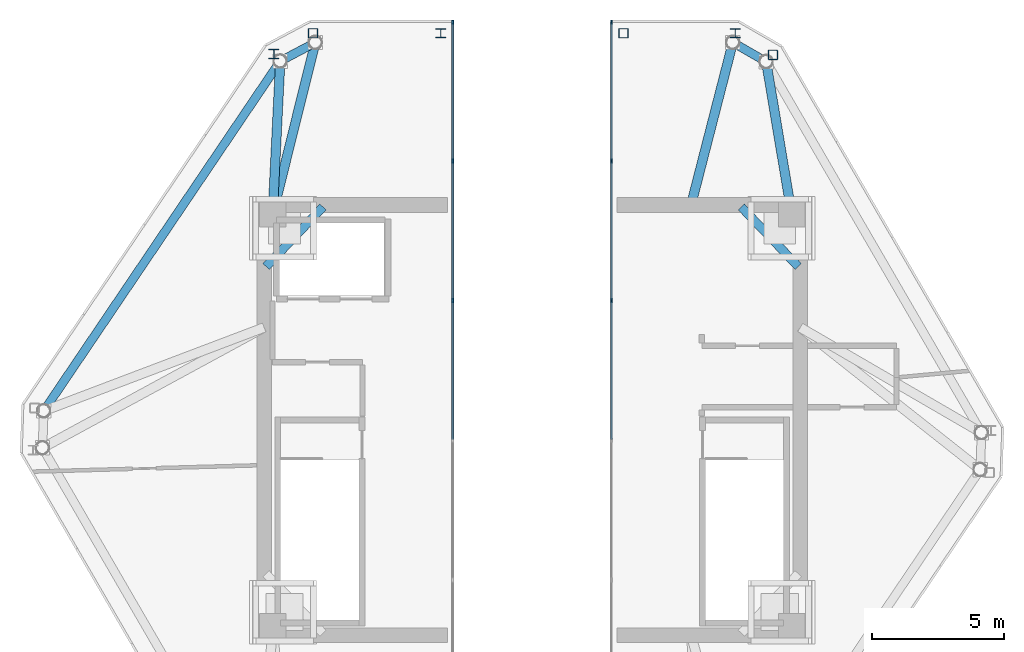
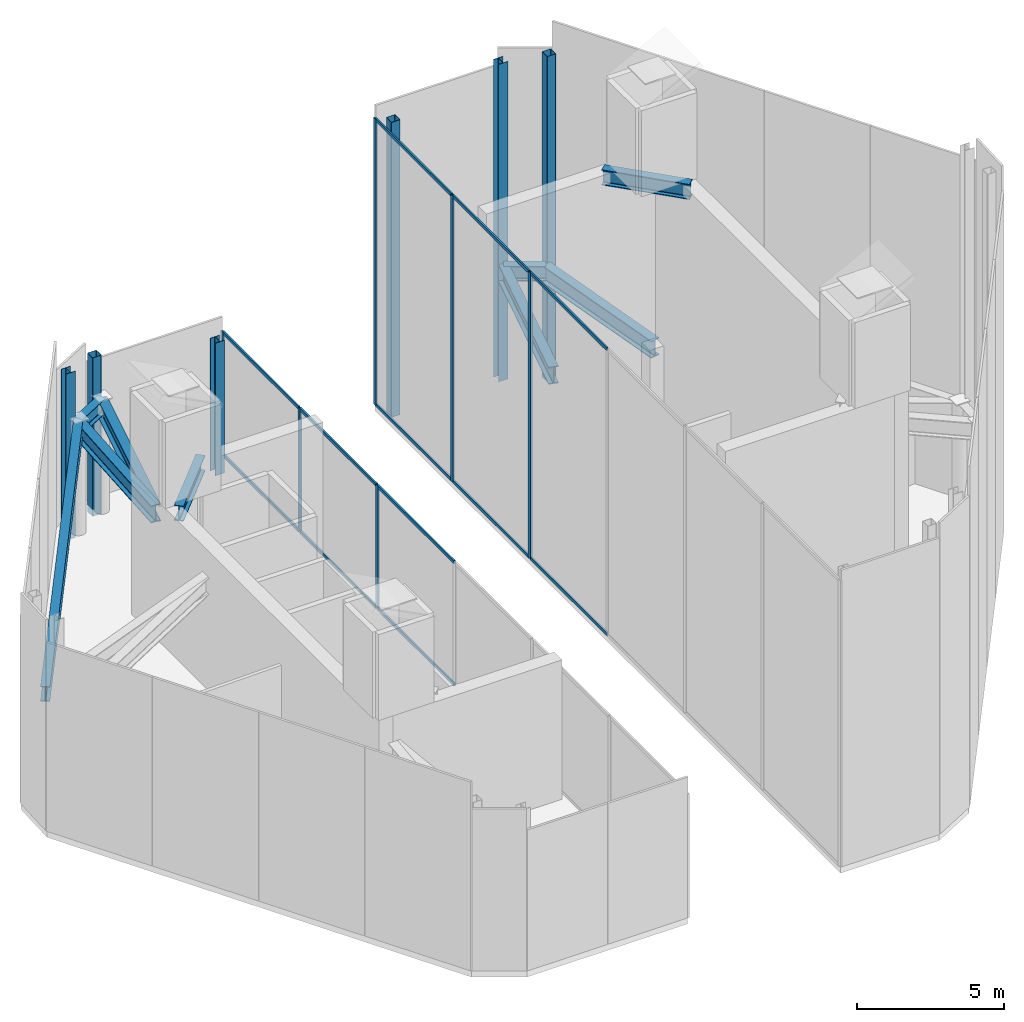
# One storey, part 4 of 9: 24 members, 9 beams, 2 elements without a shape of their own.
"""IFC4 building model written with IfcOpenShell, lengths in metres."""

from ifc_helpers import new_model, si_unit, direction, frame, origin, origin_2d, place, context, subcontext, project, spatial, rectangle, hollow_rectangle, i_section, extrude, source, transform, mapped, material, layer, layer_set, material_profile, profile_set, type_object, type_shapes, element, aggregate, save


model = new_model("IFC4")

# Units and contexts
model_context = context("Model", 3, precision=1e-05, world=origin(), true_north=direction((0.0, 1.0)))
body_context = subcontext(model_context, "Body", "Model", "MODEL_VIEW")
ifc_project = project(units=[si_unit("LENGTHUNIT", "METRE"), si_unit("AREAUNIT", "SQUARE_METRE"), si_unit("VOLUMEUNIT", "CUBIC_METRE"), si_unit("PLANEANGLEUNIT", "RADIAN"), si_unit("MASSUNIT", "GRAM", prefix="KILO")], contexts=[model_context])

# Site, building, storey
site_placement = place(None, origin())
site = spatial("IfcSite", under=ifc_project, at=site_placement, CompositionType="ELEMENT")
building_placement = place(site_placement, origin())
building = spatial("IfcBuilding", under=site, at=building_placement, Name="Durnholm Broadcast Tower", CompositionType="ELEMENT")
storey_placement = place(building_placement, frame((0.0, 0.0, 287.0)))
storey = spatial("IfcBuildingStorey", under=building, at=storey_placement, Name="L79", CompositionType="ELEMENT", Elevation=287.0)

# Beams
ifc_material_1 = material(Name="Steel ASTM A992 Grade 50", Category="steel")
ifc_material_profile_1 = material_profile(ifc_material_1, i_section(OverallWidth=0.3251953125, OverallDepth=0.6162109375, WebThickness=0.013916015625, FlangeThickness=0.021484375, FilletRadius=0.02783203125, at=origin_2d()), Name="W24X117")
ifc_profile_set_1 = profile_set([ifc_material_profile_1], Name="Steel ASTM A992 Grade 50")
beam_type_1 = type_object("IfcBeamType", Name="STL-SP-W24X117", PredefinedType="SPANDREL", material=ifc_profile_set_1)
shared_shape_1 = source(origin(), body_context, "Body", "SweptSolid", [
    extrude(i_section(OverallWidth=0.3251953125, OverallDepth=0.6162109375, WebThickness=0.013916015625, FlangeThickness=0.021484375, FilletRadius=0.02783203125, at=origin_2d()), origin(), (0.0, 0.0, 1.0), 15.947265625),
])
beam_1_placement = place(storey_placement, frame((-18.4462890625, 0.345947265625, 4.39697265625), z_axis=(0.560062212489, 0.828450552623, 0.0), x_axis=(-0.828450552623, 0.560062212489, 0.0)))
element("IfcBeam", 1, at=beam_1_placement, inside=storey, type_object=beam_type_1, Name="L79 perimeter spandrel girder 03", PredefinedType="SPANDREL", context=body_context, shape_type="MappedRepresentation", body=[
    mapped(shared_shape_1, transform((0.0, 0.0, 0.0), x_axis=(1.0, 0.0, 0.0), y_axis=(0.0, 1.0, 0.0), z_axis=(0.0, 0.0, 1.0), scale=1.0)),
])
shared_shape_2 = source(origin(), body_context, "Body", "SweptSolid", [
    extrude(i_section(OverallWidth=0.3251953125, OverallDepth=0.6162109375, WebThickness=0.013916015625, FlangeThickness=0.021484375, FilletRadius=0.02783203125, at=origin_2d()), origin(), (0.0, 0.0, 1.0), 1.502685546875),
])
beam_2_placement = place(storey_placement, frame((-9.514892578125, 13.557373046875, 4.39697265625), z_axis=(0.883241909673, 0.468917614296, 0.0), x_axis=(-0.468917614296, 0.883241909673, 0.0)))
element("IfcBeam", 2, at=beam_2_placement, inside=storey, type_object=beam_type_1, Name="L79 perimeter spandrel girder 04", PredefinedType="SPANDREL", context=body_context, shape_type="MappedRepresentation", body=[
    mapped(shared_shape_2, transform((0.0, 0.0, 0.0), x_axis=(1.0, 0.0, 0.0), y_axis=(0.0, 1.0, 0.0), z_axis=(0.0, 0.0, 1.0), scale=1.0)),
])
shared_shape_3 = source(origin(), body_context, "Body", "SweptSolid", [
    extrude(i_section(OverallWidth=0.3251953125, OverallDepth=0.6162109375, WebThickness=0.013916015625, FlangeThickness=0.021484375, FilletRadius=0.02783203125, at=origin_2d()), origin(), (0.0, 0.0, 1.0), 1.451416015625),
])
type_shapes(beam_type_1, [shared_shape_1, shared_shape_2, shared_shape_3])
beam_3_placement = place(storey_placement, frame((7.57958984375, 14.261962890625, 4.39697265625), z_axis=(0.866571760088, -0.499052486836, 0.0), x_axis=(0.499052486836, 0.866571760088, 0.0)))
element("IfcBeam", 3, at=beam_3_placement, inside=storey, type_object=beam_type_1, Name="L79 perimeter spandrel girder 06", PredefinedType="SPANDREL", context=body_context, shape_type="MappedRepresentation", body=[
    mapped(shared_shape_3, transform((0.0, 0.0, 0.0), x_axis=(1.0, 0.0, 0.0), y_axis=(0.0, 1.0, 0.0), z_axis=(0.0, 0.0, 1.0), scale=1.0)),
])
ifc_material_profile_2 = material_profile(ifc_material_1, i_section(OverallWidth=0.3564453125, OverallDepth=0.713623046875, WebThickness=0.01904296875, FlangeThickness=0.033935546875, FilletRadius=0.030517578125, at=origin_2d()), Name="W27X194")
ifc_profile_set_2 = profile_set([ifc_material_profile_2], Name="Steel ASTM A992 Grade 50")
beam_type_2 = type_object("IfcBeamType", Name="STL-GR-W27X194", PredefinedType="USERDEFINED", material=ifc_profile_set_2)
shared_shape_4 = source(origin(), body_context, "Body", "SweptSolid", [
    extrude(i_section(OverallWidth=0.3564453125, OverallDepth=0.713623046875, WebThickness=0.01904296875, FlangeThickness=0.033935546875, FilletRadius=0.030517578125, at=origin_2d()), origin(), (0.0, 0.0, 1.0), 5.764404296875),
])
beam_4_placement = place(storey_placement, frame((-9.800048828125, 7.800048828125, 4.34814453125), z_axis=(0.049468662109, 0.99877567625, 0.0), x_axis=(-0.99877567625, 0.049468662109, 0.0)))
element("IfcBeam", 4, at=beam_4_placement, inside=storey, type_object=beam_type_2, Name="L79 radial primary floor girder 04", ObjectType="GIRDER", PredefinedType="USERDEFINED", context=body_context, shape_type="MappedRepresentation", body=[
    mapped(shared_shape_4, transform((0.0, 0.0, 0.0), x_axis=(1.0, 0.0, 0.0), y_axis=(0.0, 1.0, 0.0), z_axis=(0.0, 0.0, 1.0), scale=1.0)),
])
shared_shape_5 = source(origin(), body_context, "Body", "SweptSolid", [
    extrude(i_section(OverallWidth=0.3564453125, OverallDepth=0.713623046875, WebThickness=0.01904296875, FlangeThickness=0.033935546875, FilletRadius=0.030517578125, at=origin_2d()), origin(), (0.0, 0.0, 1.0), 6.659912109375),
])
beam_5_placement = place(storey_placement, frame((-9.800048828125, 7.800048828125, 4.34814453125), z_axis=(0.242087082058, 0.97025452573, 0.0), x_axis=(-0.97025452573, 0.242087082058, 0.0)))
element("IfcBeam", 5, at=beam_5_placement, inside=storey, type_object=beam_type_2, Name="L79 radial primary floor girder 05", ObjectType="GIRDER", PredefinedType="USERDEFINED", context=body_context, shape_type="MappedRepresentation", body=[
    mapped(shared_shape_5, transform((0.0, 0.0, 0.0), x_axis=(1.0, 0.0, 0.0), y_axis=(0.0, 1.0, 0.0), z_axis=(0.0, 0.0, 1.0), scale=1.0)),
])
shared_shape_6 = source(origin(), body_context, "Body", "SweptSolid", [
    extrude(i_section(OverallWidth=0.3564453125, OverallDepth=0.713623046875, WebThickness=0.01904296875, FlangeThickness=0.033935546875, FilletRadius=0.030517578125, at=origin_2d()), origin(), (0.0, 0.0, 1.0), 6.3369140625),
])
beam_6_placement = place(storey_placement, frame((6.0, 8.125, 4.34814453125), z_axis=(0.249265081504, 0.968435294247, 0.0), x_axis=(-0.968435294247, 0.249265081504, 0.0)))
element("IfcBeam", 6, at=beam_6_placement, inside=storey, type_object=beam_type_2, Name="L79 radial primary floor girder 06", ObjectType="GIRDER", PredefinedType="USERDEFINED", context=body_context, shape_type="MappedRepresentation", body=[
    mapped(shared_shape_6, transform((0.0, 0.0, 0.0), x_axis=(1.0, 0.0, 0.0), y_axis=(0.0, 1.0, 0.0), z_axis=(0.0, 0.0, 1.0), scale=1.0)),
])
shared_shape_7 = source(origin(), body_context, "Body", "SweptSolid", [
    extrude(i_section(OverallWidth=0.3564453125, OverallDepth=0.713623046875, WebThickness=0.01904296875, FlangeThickness=0.033935546875, FilletRadius=0.030517578125, at=origin_2d()), origin(), (0.0, 0.0, 1.0), 5.817626953125),
])
type_shapes(beam_type_2, [shared_shape_4, shared_shape_5, shared_shape_6, shared_shape_7])
beam_7_placement = place(storey_placement, frame((9.800048828125, 7.800048828125, 4.34814453125), z_axis=(-0.16546729255, 0.986215278271, 0.0), x_axis=(-0.986215278271, -0.16546729255, 0.0)))
element("IfcBeam", 7, at=beam_7_placement, inside=storey, type_object=beam_type_2, Name="L79 radial primary floor girder 07", ObjectType="GIRDER", PredefinedType="USERDEFINED", context=body_context, shape_type="MappedRepresentation", body=[
    mapped(shared_shape_7, transform((0.0, 0.0, 0.0), x_axis=(1.0, 0.0, 0.0), y_axis=(0.0, 1.0, 0.0), z_axis=(0.0, 0.0, 1.0), scale=1.0)),
])

# Members
ifc_material_profile_3 = material_profile(ifc_material_1, i_section(OverallWidth=0.368896484375, OverallDepth=0.356201171875, WebThickness=0.01123046875, FlangeThickness=0.01806640625, FilletRadius=0.030517578125, at=origin_2d()), Name="W14X90")
ifc_profile_set_3 = profile_set([ifc_material_profile_3], Name="Steel ASTM A992 Grade 50")
member_type_1 = type_object("IfcMemberType", Name="STL-CF-W14X90", PredefinedType="USERDEFINED", material=ifc_profile_set_3)
shared_shape_8 = source(origin(), body_context, "Body", "SweptSolid", [
    extrude(i_section(OverallWidth=0.368896484375, OverallDepth=0.356201171875, WebThickness=0.01123046875, FlangeThickness=0.01806640625, FilletRadius=0.030517578125, at=origin_2d()), origin(), (0.0, 0.0, 1.0), 5.505859375),
])
member_1_placement = place(storey_placement, frame((-3.449951171875, 14.612060546875, -0.280029296875), z_axis=(0.0, 0.0, 1.0), x_axis=(1.0, 0.0, 0.0)))
element("IfcMember", 8, at=member_1_placement, inside=storey, type_object=member_type_1, Name="L79 W split-crown frame post 4", ObjectType="CROWN FRAME", PredefinedType="USERDEFINED", context=body_context, shape_type="MappedRepresentation", body=[
    mapped(shared_shape_8, transform((0.0, 0.0, 0.0), x_axis=(1.0, 0.0, 0.0), y_axis=(0.0, 1.0, 0.0), z_axis=(0.0, 0.0, 1.0), scale=1.0)),
])
ifc_material_2 = material(Name="Steel ASTM A500 Grade C", Category="steel")
ifc_material_profile_4 = material_profile(ifc_material_2, hollow_rectangle(XDim=0.355712890625, YDim=0.355712890625, WallThickness=0.01171875, InnerFilletRadius=0.017578125, OuterFilletRadius=0.029541015625, at=origin_2d()), Name="HSS14X14X1/2")
ifc_profile_set_4 = profile_set([ifc_material_profile_4], Name="Steel ASTM A500 Grade C")
member_type_2 = type_object("IfcMemberType", Name="STL-CF-HSS14X14", PredefinedType="USERDEFINED", material=ifc_profile_set_4)
shared_shape_9 = source(origin(), body_context, "Body", "SweptSolid", [
    extrude(hollow_rectangle(XDim=0.355712890625, YDim=0.355712890625, WallThickness=0.01171875, InnerFilletRadius=0.017578125, OuterFilletRadius=0.029541015625, at=origin_2d()), origin(), (0.0, 0.0, 1.0), 6.575439453125),
])
member_2_placement = place(storey_placement, frame((-8.27490234375, 14.612060546875, -0.280029296875), z_axis=(0.0, 0.0, 1.0), x_axis=(1.0, 0.0, 0.0)))
element("IfcMember", 9, at=member_2_placement, inside=storey, type_object=member_type_2, Name="L79 W split-crown frame post 5", ObjectType="CROWN FRAME", PredefinedType="USERDEFINED", context=body_context, shape_type="MappedRepresentation", body=[
    mapped(shared_shape_9, transform((0.0, 0.0, 0.0), x_axis=(1.0, 0.0, 0.0), y_axis=(0.0, 1.0, 0.0), z_axis=(0.0, 0.0, 1.0), scale=1.0)),
])
shared_shape_10 = source(origin(), body_context, "Body", "SweptSolid", [
    extrude(i_section(OverallWidth=0.368896484375, OverallDepth=0.356201171875, WebThickness=0.01123046875, FlangeThickness=0.01806640625, FilletRadius=0.030517578125, at=origin_2d()), origin(), (0.0, 0.0, 1.0), 6.90380859375),
])
member_3_placement = place(storey_placement, frame((-9.756103515625, 13.825439453125, -0.280029296875), z_axis=(0.0, 0.0, 1.0), x_axis=(1.0, 0.0, 0.0)))
element("IfcMember", 10, at=member_3_placement, inside=storey, type_object=member_type_1, Name="L79 W split-crown frame post 6", ObjectType="CROWN FRAME", PredefinedType="USERDEFINED", context=body_context, shape_type="MappedRepresentation", body=[
    mapped(shared_shape_10, transform((0.0, 0.0, 0.0), x_axis=(1.0, 0.0, 0.0), y_axis=(0.0, 1.0, 0.0), z_axis=(0.0, 0.0, 1.0), scale=1.0)),
])
shared_shape_11 = source(origin(), body_context, "Body", "SweptSolid", [
    extrude(hollow_rectangle(XDim=0.355712890625, YDim=0.355712890625, WallThickness=0.01171875, InnerFilletRadius=0.017578125, OuterFilletRadius=0.029541015625, at=origin_2d()), origin(), (0.0, 0.0, 1.0), 12.24365234375),
])
member_4_placement = place(storey_placement, frame((3.449951171875, 14.612060546875, -0.280029296875), z_axis=(0.0, 0.0, 1.0), x_axis=(1.0, 0.0, 0.0)))
element("IfcMember", 11, at=member_4_placement, inside=storey, type_object=member_type_2, Name="L79 E split-crown frame post 1", ObjectType="CROWN FRAME", PredefinedType="USERDEFINED", context=body_context, shape_type="MappedRepresentation", body=[
    mapped(shared_shape_11, transform((0.0, 0.0, 0.0), x_axis=(1.0, 0.0, 0.0), y_axis=(0.0, 1.0, 0.0), z_axis=(0.0, 0.0, 1.0), scale=1.0)),
])
shared_shape_12 = source(origin(), body_context, "Body", "SweptSolid", [
    extrude(hollow_rectangle(XDim=0.355712890625, YDim=0.355712890625, WallThickness=0.01171875, InnerFilletRadius=0.017578125, OuterFilletRadius=0.029541015625, at=origin_2d()), origin(), (0.0, 0.0, 1.0), 13.49462890625),
])
type_shapes(member_type_2, [shared_shape_9, shared_shape_11, shared_shape_12])
member_5_placement = place(storey_placement, frame((9.09326171875, 13.794189453125, -0.280029296875), z_axis=(0.0, 0.0, 1.0), x_axis=(1.0, 0.0, 0.0)))
element("IfcMember", 12, at=member_5_placement, inside=storey, type_object=member_type_2, Name="L79 E split-crown frame post 7", ObjectType="CROWN FRAME", PredefinedType="USERDEFINED", context=body_context, shape_type="MappedRepresentation", body=[
    mapped(shared_shape_12, transform((0.0, 0.0, 0.0), x_axis=(1.0, 0.0, 0.0), y_axis=(0.0, 1.0, 0.0), z_axis=(0.0, 0.0, 1.0), scale=1.0)),
])
shared_shape_13 = source(origin(), body_context, "Body", "SweptSolid", [
    extrude(i_section(OverallWidth=0.368896484375, OverallDepth=0.356201171875, WebThickness=0.01123046875, FlangeThickness=0.01806640625, FilletRadius=0.030517578125, at=origin_2d()), origin(), (0.0, 0.0, 1.0), 13.179931640625),
])
type_shapes(member_type_1, [shared_shape_8, shared_shape_10, shared_shape_13])
member_6_placement = place(storey_placement, frame((7.67333984375, 14.612060546875, -0.280029296875), z_axis=(0.0, 0.0, 1.0), x_axis=(1.0, 0.0, 0.0)))
element("IfcMember", 13, at=member_6_placement, inside=storey, type_object=member_type_1, Name="L79 E split-crown frame post 8", ObjectType="CROWN FRAME", PredefinedType="USERDEFINED", context=body_context, shape_type="MappedRepresentation", body=[
    mapped(shared_shape_13, transform((0.0, 0.0, 0.0), x_axis=(1.0, 0.0, 0.0), y_axis=(0.0, 1.0, 0.0), z_axis=(0.0, 0.0, 1.0), scale=1.0)),
])

# Beams
ifc_material_profile_5 = material_profile(ifc_material_1, i_section(OverallWidth=0.3291015625, OverallDepth=0.635009765625, WebThickness=0.017822265625, FlangeThickness=0.031005859375, FilletRadius=0.02783203125, at=origin_2d()), Name="W24X162")
ifc_profile_set_5 = profile_set([ifc_material_profile_5], Name="Steel ASTM A992 Grade 50")
beam_type_3 = type_object("IfcBeamType", Name="STL-SP-W24X162", PredefinedType="SPANDREL", material=ifc_profile_set_5)
shared_shape_14 = source(origin(), body_context, "Body", "SweptSolid", [
    extrude(i_section(OverallWidth=0.3291015625, OverallDepth=0.635009765625, WebThickness=0.017822265625, FlangeThickness=0.031005859375, FilletRadius=0.02783203125, at=origin_2d()), origin(), (0.0, 0.0, 1.0), 3.112060546875),
])
type_shapes(beam_type_3, [shared_shape_14])
for number, where, z_axis, x_axis, name in (
    (14, (-10.050048828125, 5.800048828125, 5.64990234375), (0.690882374413, 0.722967180946, 0.0), (-0.722967180946, 0.690882374413, 0.0), "L79 bulkhead corner trimmer girder HBM-W2"),
    (15, (10.050048828125, 5.800048828125, 12.050048828125), (-0.690882374413, 0.722967180946, 0.0), (-0.722967180946, -0.690882374413, 0.0), "L79 bulkhead corner trimmer girder HBM-E4"),
):
    element("IfcBeam", number, at=place(storey_placement, frame(where, z_axis=z_axis, x_axis=x_axis)), inside=storey, type_object=beam_type_3, Name=name, ObjectType="GIRDER", PredefinedType="USERDEFINED", context=body_context, shape_type="MappedRepresentation", body=[
        mapped(shared_shape_14, transform((0.0, 0.0, 0.0), x_axis=(1.0, 0.0, 0.0), y_axis=(0.0, 1.0, 0.0), z_axis=(0.0, 0.0, 1.0), scale=1.0)),
    ])

# Curtain wall, members
ifc_material_3 = material(Name="Aluminium and Solar Control IGU", Category="aluminium")
ifc_layer = layer(ifc_material_3, 0.1650390625)
ifc_layer_set = layer_set([ifc_layer], Name="Aluminium and Solar Control IGU")
curtain_wall_type = type_object("IfcCurtainWallType", Name="CW-SYS-7", PredefinedType="NOTDEFINED", material=ifc_layer_set)
curtain_wall_1_placement = place(storey_placement, origin())
curtain_wall_1 = element("IfcCurtainWall", 16, at=curtain_wall_1_placement, inside=storey, type_object=curtain_wall_type, Name="L79 curtain wall CW-CROWN CW-L79-W-5", PredefinedType="NOTDEFINED")
ifc_material_4 = material(Name="Aluminium 6063-T6", Category="aluminium")
ifc_material_profile_6 = material_profile(ifc_material_4, rectangle(XDim=0.06494140625, YDim=0.1298828125, at=origin_2d()), Name="CWT65X130")
ifc_profile_set_6 = profile_set([ifc_material_profile_6], Name="Aluminium 6063-T6")
member_type_3 = type_object("IfcMemberType", Name="CW-SYS-7-TRN", PredefinedType="USERDEFINED", material=ifc_profile_set_6)
shared_shape_15 = source(origin(), body_context, "Body", "SweptSolid", [
    extrude(rectangle(XDim=0.06494140625, YDim=0.1298828125, at=origin_2d()), origin(), (0.0, 0.0, 1.0), 5.17724609375),
])
member_7_placement = place(storey_placement, frame((-3.0, 14.9970703125, 0.032470703125), z_axis=(0.0, -1.0, 0.0), x_axis=(1.0, 0.0, 0.0)))
member_7 = element("IfcMember", 17, at=member_7_placement, type_object=member_type_3, Name="CW-CROWN transom 1.1", ObjectType="TRANSOM", PredefinedType="USERDEFINED", context=body_context, shape_type="MappedRepresentation", body=[
    mapped(shared_shape_15, transform((0.0, 0.0, 0.0), x_axis=(1.0, 0.0, 0.0), y_axis=(0.0, 1.0, 0.0), z_axis=(0.0, 0.0, 1.0), scale=1.0)),
])
member_8_placement = place(storey_placement, frame((-3.0, 14.9970703125, 5.113525390625), z_axis=(0.0, -1.0, 0.0), x_axis=(1.0, 0.0, 0.0)))
member_8 = element("IfcMember", 18, at=member_8_placement, type_object=member_type_3, Name="CW-CROWN transom 1.2", ObjectType="TRANSOM", PredefinedType="USERDEFINED", context=body_context, shape_type="MappedRepresentation", body=[
    mapped(shared_shape_15, transform((0.0, 0.0, 0.0), x_axis=(1.0, 0.0, 0.0), y_axis=(0.0, 1.0, 0.0), z_axis=(0.0, 0.0, 1.0), scale=1.0)),
])

curtain_wall_2_placement = place(storey_placement, origin())
curtain_wall_2 = element("IfcCurtainWall", 19, at=curtain_wall_2_placement, inside=storey, type_object=curtain_wall_type, Name="L79 curtain wall CW-CROWN CW-L79-E-7", PredefinedType="NOTDEFINED")
member_9_placement = place(storey_placement, frame((3.0, 9.81982421875, 0.032470703125), z_axis=(0.0, 1.0, 0.0), x_axis=(-1.0, 0.0, 0.0)))
member_9 = element("IfcMember", 20, at=member_9_placement, type_object=member_type_3, Name="CW-CROWN transom 6.1", ObjectType="TRANSOM", PredefinedType="USERDEFINED", context=body_context, shape_type="MappedRepresentation", body=[
    mapped(shared_shape_15, transform((0.0, 0.0, 0.0), x_axis=(1.0, 0.0, 0.0), y_axis=(0.0, 1.0, 0.0), z_axis=(0.0, 0.0, 1.0), scale=1.0)),
])
member_10_placement = place(storey_placement, frame((3.0, 9.81982421875, 11.851318359375), z_axis=(0.0, 1.0, 0.0), x_axis=(-1.0, 0.0, 0.0)))
member_10 = element("IfcMember", 21, at=member_10_placement, type_object=member_type_3, Name="CW-CROWN transom 6.2", ObjectType="TRANSOM", PredefinedType="USERDEFINED", context=body_context, shape_type="MappedRepresentation", body=[
    mapped(shared_shape_15, transform((0.0, 0.0, 0.0), x_axis=(1.0, 0.0, 0.0), y_axis=(0.0, 1.0, 0.0), z_axis=(0.0, 0.0, 1.0), scale=1.0)),
])

# Member
shared_shape_16 = source(origin(), body_context, "Body", "SweptSolid", [
    extrude(rectangle(XDim=0.06494140625, YDim=0.1298828125, at=origin_2d()), origin(), (0.0, 0.0, 1.0), 5.209716796875),
])
type_shapes(member_type_3, [shared_shape_15, shared_shape_16])
member_11_placement = place(storey_placement, frame((-3.0, 9.7548828125, 0.032470703125), z_axis=(0.0, -1.0, 0.0), x_axis=(1.0, 0.0, 0.0)))
member_11 = element("IfcMember", 22, at=member_11_placement, type_object=member_type_3, Name="CW-CROWN transom 2.1", ObjectType="TRANSOM", PredefinedType="USERDEFINED", context=body_context, shape_type="MappedRepresentation", body=[
    mapped(shared_shape_16, transform((0.0, 0.0, 0.0), x_axis=(1.0, 0.0, 0.0), y_axis=(0.0, 1.0, 0.0), z_axis=(0.0, 0.0, 1.0), scale=1.0)),
])

member_12_placement = place(storey_placement, frame((-3.0, 9.7548828125, 5.113525390625), z_axis=(0.0, -1.0, 0.0), x_axis=(1.0, 0.0, 0.0)))
member_12 = element("IfcMember", 23, at=member_12_placement, type_object=member_type_3, Name="CW-CROWN transom 2.2", ObjectType="TRANSOM", PredefinedType="USERDEFINED", context=body_context, shape_type="MappedRepresentation", body=[
    mapped(shared_shape_16, transform((0.0, 0.0, 0.0), x_axis=(1.0, 0.0, 0.0), y_axis=(0.0, 1.0, 0.0), z_axis=(0.0, 0.0, 1.0), scale=1.0)),
])

member_13_placement = place(storey_placement, frame((-3.0, 4.480224609375, 0.032470703125), z_axis=(0.0, -1.0, 0.0), x_axis=(1.0, 0.0, 0.0)))
member_13 = element("IfcMember", 24, at=member_13_placement, type_object=member_type_3, Name="CW-CROWN transom 3.1", ObjectType="TRANSOM", PredefinedType="USERDEFINED", context=body_context, shape_type="MappedRepresentation", body=[
    mapped(shared_shape_16, transform((0.0, 0.0, 0.0), x_axis=(1.0, 0.0, 0.0), y_axis=(0.0, 1.0, 0.0), z_axis=(0.0, 0.0, 1.0), scale=1.0)),
])

member_14_placement = place(storey_placement, frame((-3.0, 4.480224609375, 5.113525390625), z_axis=(0.0, -1.0, 0.0), x_axis=(1.0, 0.0, 0.0)))
member_14 = element("IfcMember", 25, at=member_14_placement, type_object=member_type_3, Name="CW-CROWN transom 3.2", ObjectType="TRANSOM", PredefinedType="USERDEFINED", context=body_context, shape_type="MappedRepresentation", body=[
    mapped(shared_shape_16, transform((0.0, 0.0, 0.0), x_axis=(1.0, 0.0, 0.0), y_axis=(0.0, 1.0, 0.0), z_axis=(0.0, 0.0, 1.0), scale=1.0)),
])

member_15_placement = place(storey_placement, frame((3.0, -0.7294921875, 0.032470703125), z_axis=(0.0, 1.0, 0.0), x_axis=(-1.0, 0.0, 0.0)))
member_15 = element("IfcMember", 26, at=member_15_placement, type_object=member_type_3, Name="CW-CROWN transom 4.1", ObjectType="TRANSOM", PredefinedType="USERDEFINED", context=body_context, shape_type="MappedRepresentation", body=[
    mapped(shared_shape_16, transform((0.0, 0.0, 0.0), x_axis=(1.0, 0.0, 0.0), y_axis=(0.0, 1.0, 0.0), z_axis=(0.0, 0.0, 1.0), scale=1.0)),
])

member_16_placement = place(storey_placement, frame((3.0, -0.7294921875, 11.851318359375), z_axis=(0.0, 1.0, 0.0), x_axis=(-1.0, 0.0, 0.0)))
member_16 = element("IfcMember", 27, at=member_16_placement, type_object=member_type_3, Name="CW-CROWN transom 4.2", ObjectType="TRANSOM", PredefinedType="USERDEFINED", context=body_context, shape_type="MappedRepresentation", body=[
    mapped(shared_shape_16, transform((0.0, 0.0, 0.0), x_axis=(1.0, 0.0, 0.0), y_axis=(0.0, 1.0, 0.0), z_axis=(0.0, 0.0, 1.0), scale=1.0)),
])

member_17_placement = place(storey_placement, frame((3.0, 4.545166015625, 0.032470703125), z_axis=(0.0, 1.0, 0.0), x_axis=(-1.0, 0.0, 0.0)))
member_17 = element("IfcMember", 28, at=member_17_placement, type_object=member_type_3, Name="CW-CROWN transom 5.1", ObjectType="TRANSOM", PredefinedType="USERDEFINED", context=body_context, shape_type="MappedRepresentation", body=[
    mapped(shared_shape_16, transform((0.0, 0.0, 0.0), x_axis=(1.0, 0.0, 0.0), y_axis=(0.0, 1.0, 0.0), z_axis=(0.0, 0.0, 1.0), scale=1.0)),
])

member_18_placement = place(storey_placement, frame((3.0, 4.545166015625, 11.851318359375), z_axis=(0.0, 1.0, 0.0), x_axis=(-1.0, 0.0, 0.0)))
member_18 = element("IfcMember", 29, at=member_18_placement, type_object=member_type_3, Name="CW-CROWN transom 5.2", ObjectType="TRANSOM", PredefinedType="USERDEFINED", context=body_context, shape_type="MappedRepresentation", body=[
    mapped(shared_shape_16, transform((0.0, 0.0, 0.0), x_axis=(1.0, 0.0, 0.0), y_axis=(0.0, 1.0, 0.0), z_axis=(0.0, 0.0, 1.0), scale=1.0)),
])

ifc_material_profile_7 = material_profile(ifc_material_4, rectangle(XDim=0.06494140625, YDim=0.1650390625, at=origin_2d()), Name="CWM65X165")
ifc_profile_set_7 = profile_set([ifc_material_profile_7], Name="Aluminium 6063-T6")
member_type_4 = type_object("IfcMemberType", Name="CW-SYS-7-MUL", PredefinedType="MULLION", material=ifc_profile_set_7)
shared_shape_17 = source(origin(), body_context, "Body", "SweptSolid", [
    extrude(rectangle(XDim=0.06494140625, YDim=0.1650390625, at=origin_2d()), origin(), (0.0, 0.0, 1.0), 5.14599609375),
])
member_19_placement = place(storey_placement, frame((-3.0, 15.029541015625, 0.0), z_axis=(0.0, 0.0, 1.0), x_axis=(1.0, 0.0, 0.0)))
member_19 = element("IfcMember", 30, at=member_19_placement, type_object=member_type_4, Name="CW-CROWN mullion 1", PredefinedType="MULLION", context=body_context, shape_type="MappedRepresentation", body=[
    mapped(shared_shape_17, transform((0.0, 0.0, 0.0), x_axis=(1.0, 0.0, 0.0), y_axis=(0.0, 1.0, 0.0), z_axis=(0.0, 0.0, 1.0), scale=1.0)),
])

member_20_placement = place(storey_placement, frame((-3.0, 9.787353515625, 0.0), z_axis=(0.0, 0.0, 1.0), x_axis=(1.0, 0.0, 0.0)))
member_20 = element("IfcMember", 31, at=member_20_placement, type_object=member_type_4, Name="CW-CROWN mullion 2", PredefinedType="MULLION", context=body_context, shape_type="MappedRepresentation", body=[
    mapped(shared_shape_17, transform((0.0, 0.0, 0.0), x_axis=(1.0, 0.0, 0.0), y_axis=(0.0, 1.0, 0.0), z_axis=(0.0, 0.0, 1.0), scale=1.0)),
])

member_21_placement = place(storey_placement, frame((-3.0, 4.5126953125, 0.0), z_axis=(0.0, 0.0, 1.0), x_axis=(1.0, 0.0, 0.0)))
member_21 = element("IfcMember", 32, at=member_21_placement, type_object=member_type_4, Name="CW-CROWN mullion 3", PredefinedType="MULLION", context=body_context, shape_type="MappedRepresentation", body=[
    mapped(shared_shape_17, transform((0.0, 0.0, 0.0), x_axis=(1.0, 0.0, 0.0), y_axis=(0.0, 1.0, 0.0), z_axis=(0.0, 0.0, 1.0), scale=1.0)),
])

aggregate(curtain_wall_1, [member_19, member_20, member_21, member_7, member_8, member_11, member_12, member_13, member_14])

shared_shape_18 = source(origin(), body_context, "Body", "SweptSolid", [
    extrude(rectangle(XDim=0.06494140625, YDim=0.1650390625, at=origin_2d()), origin(), (0.0, 0.0, 1.0), 11.8837890625),
])
type_shapes(member_type_4, [shared_shape_17, shared_shape_18])
member_22_placement = place(storey_placement, frame((3.0, 4.5126953125, 0.0), z_axis=(0.0, 0.0, 1.0), x_axis=(-1.0, 0.0, 0.0)))
member_22 = element("IfcMember", 33, at=member_22_placement, type_object=member_type_4, Name="CW-CROWN mullion 5", PredefinedType="MULLION", context=body_context, shape_type="MappedRepresentation", body=[
    mapped(shared_shape_18, transform((0.0, 0.0, 0.0), x_axis=(1.0, 0.0, 0.0), y_axis=(0.0, 1.0, 0.0), z_axis=(0.0, 0.0, 1.0), scale=1.0)),
])

member_23_placement = place(storey_placement, frame((3.0, 9.787353515625, 0.0), z_axis=(0.0, 0.0, 1.0), x_axis=(-1.0, 0.0, 0.0)))
member_23 = element("IfcMember", 34, at=member_23_placement, type_object=member_type_4, Name="CW-CROWN mullion 6", PredefinedType="MULLION", context=body_context, shape_type="MappedRepresentation", body=[
    mapped(shared_shape_18, transform((0.0, 0.0, 0.0), x_axis=(1.0, 0.0, 0.0), y_axis=(0.0, 1.0, 0.0), z_axis=(0.0, 0.0, 1.0), scale=1.0)),
])

member_24_placement = place(storey_placement, frame((3.0, 15.029541015625, 0.0), z_axis=(0.0, 0.0, 1.0), x_axis=(-1.0, 0.0, 0.0)))
member_24 = element("IfcMember", 35, at=member_24_placement, type_object=member_type_4, Name="CW-CROWN mullion 7", PredefinedType="MULLION", context=body_context, shape_type="MappedRepresentation", body=[
    mapped(shared_shape_18, transform((0.0, 0.0, 0.0), x_axis=(1.0, 0.0, 0.0), y_axis=(0.0, 1.0, 0.0), z_axis=(0.0, 0.0, 1.0), scale=1.0)),
])

aggregate(curtain_wall_2, [member_22, member_23, member_24, member_15, member_16, member_17, member_18, member_9, member_10])

save(model, "model.ifc")
